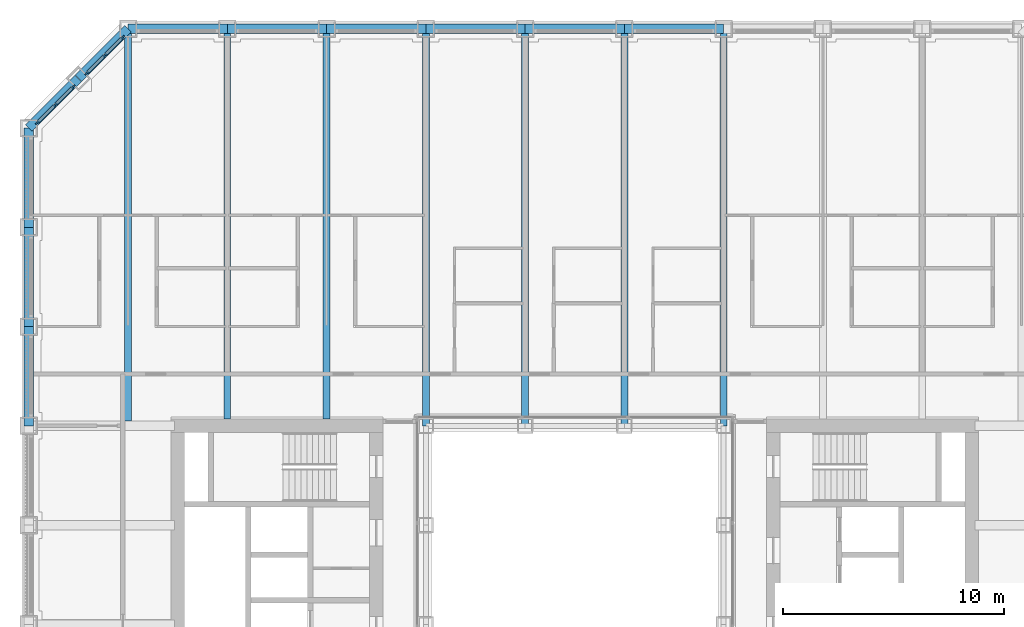
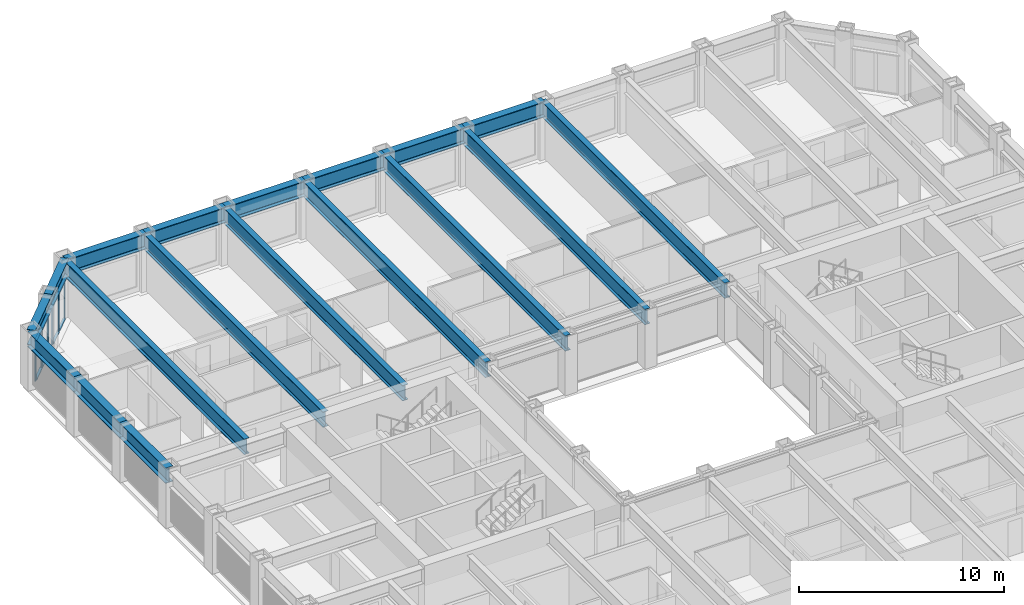
# One storey, part 6 of 21: 18 beams, 14 members, 2 elements without a shape of their own.
"""IFC4 building model written with IfcOpenShell, lengths in metres."""

from ifc_helpers import new_model, si_unit, direction, frame, origin, origin_2d, place, context, subcontext, project, spatial, rectangle, i_section, extrude, material, material_profile, profile_set, type_object, element, aggregate, save


model = new_model("IFC4")

# Units and contexts
model_context = context("Model", 3, precision=1e-05, world=origin(), true_north=direction((0.0, 1.0)))
body_context = subcontext(model_context, "Body", "Model", "MODEL_VIEW")
ifc_project = project(units=[si_unit("LENGTHUNIT", "METRE"), si_unit("AREAUNIT", "SQUARE_METRE"), si_unit("VOLUMEUNIT", "CUBIC_METRE"), si_unit("PLANEANGLEUNIT", "RADIAN"), si_unit("MASSUNIT", "GRAM", prefix="KILO")], contexts=[model_context])

# Site, building, storey
site_placement = place(None, origin())
site = spatial("IfcSite", under=ifc_project, at=site_placement, CompositionType="ELEMENT")
building_placement = place(site_placement, origin())
building = spatial("IfcBuilding", under=site, at=building_placement, Name="Msasa Ring Tower", CompositionType="ELEMENT")
storey_placement = place(building_placement, frame((0.0, 0.0, 40.5)))
storey = spatial("IfcBuildingStorey", under=building, at=storey_placement, Name="L09", CompositionType="ELEMENT", Elevation=40.5)

# Curtain wall, members
ifc_material_1 = material(Name="Aluminium curtain wall with clear glass", Category="aluminium")
curtain_wall_type = type_object("IfcCurtainWallType", Name="CW-C CHAMFER CORNER CURTAIN WALL", PredefinedType="NOTDEFINED", material=ifc_material_1)
curtain_wall_1_placement = place(storey_placement, origin())
curtain_wall_1 = element("IfcCurtainWall", 1, at=curtain_wall_1_placement, inside=storey, type_object=curtain_wall_type, Name="Chamfer corner curtain wall NW L09", PredefinedType="NOTDEFINED")
ifc_material_2 = material(Name="Aluminium mullion", Category="aluminium")
ifc_material_profile_1 = material_profile(ifc_material_2, rectangle(XDim=0.06494140625, YDim=0.179931640625, at=origin_2d()), Name="AL 65x180")
ifc_profile_set_1 = profile_set([ifc_material_profile_1], Name="Aluminium mullion")
member_type_1 = type_object("IfcMemberType", Name="CW-C MULLION 65x180", PredefinedType="MULLION", material=ifc_profile_set_1)
member_1_placement = place(storey_placement, frame((-22.73876953125, 22.119873046875, 0.0), z_axis=(0.0, 0.0, 1.0), x_axis=(0.707106781187, -0.707106781187, 0.0)))
member_1 = element("IfcMember", 2, at=member_1_placement, type_object=member_type_1, Name="CW-C mullion 1", PredefinedType="MULLION", context=body_context, shape_type="SweptSolid", body=[
    extrude(rectangle(XDim=0.06494140625, YDim=0.179931640625, at=origin_2d()), origin(), (0.0, 0.0, 1.0), 2.37890625),
])
member_2_placement = place(storey_placement, frame((-23.55419921875, 21.30419921875, 0.0), z_axis=(0.0, 0.0, 1.0), x_axis=(0.707106781187, -0.707106781187, 0.0)))
member_2 = element("IfcMember", 3, at=member_2_placement, type_object=member_type_1, Name="CW-C mullion 2", PredefinedType="MULLION", context=body_context, shape_type="SweptSolid", body=[
    extrude(rectangle(XDim=0.06494140625, YDim=0.179931640625, at=origin_2d()), origin(), (0.0, 0.0, 1.0), 2.37890625),
])
member_3_placement = place(storey_placement, frame((-24.369873046875, 20.48876953125, 0.0), z_axis=(0.0, 0.0, 1.0), x_axis=(0.707106781187, -0.707106781187, 0.0)))
member_3 = element("IfcMember", 4, at=member_3_placement, type_object=member_type_1, Name="CW-C mullion 3", PredefinedType="MULLION", context=body_context, shape_type="SweptSolid", body=[
    extrude(rectangle(XDim=0.06494140625, YDim=0.179931640625, at=origin_2d()), origin(), (0.0, 0.0, 1.0), 2.37890625),
])

curtain_wall_2_placement = place(storey_placement, origin())
curtain_wall_2 = element("IfcCurtainWall", 5, at=curtain_wall_2_placement, inside=storey, type_object=curtain_wall_type, Name="Chamfer corner curtain wall NW L09", PredefinedType="NOTDEFINED")
member_4_placement = place(storey_placement, frame((-20.48876953125, 24.369873046875, 0.0), z_axis=(0.0, 0.0, 1.0), x_axis=(0.707106781187, -0.707106781187, 0.0)))
member_4 = element("IfcMember", 6, at=member_4_placement, type_object=member_type_1, Name="CW-C mullion 1", PredefinedType="MULLION", context=body_context, shape_type="SweptSolid", body=[
    extrude(rectangle(XDim=0.06494140625, YDim=0.179931640625, at=origin_2d()), origin(), (0.0, 0.0, 1.0), 2.37890625),
])
member_5_placement = place(storey_placement, frame((-21.30419921875, 23.55419921875, 0.0), z_axis=(0.0, 0.0, 1.0), x_axis=(0.707106781187, -0.707106781187, 0.0)))
member_5 = element("IfcMember", 7, at=member_5_placement, type_object=member_type_1, Name="CW-C mullion 2", PredefinedType="MULLION", context=body_context, shape_type="SweptSolid", body=[
    extrude(rectangle(XDim=0.06494140625, YDim=0.179931640625, at=origin_2d()), origin(), (0.0, 0.0, 1.0), 2.37890625),
])
member_6_placement = place(storey_placement, frame((-22.119873046875, 22.73876953125, 0.0), z_axis=(0.0, 0.0, 1.0), x_axis=(0.707106781187, -0.707106781187, 0.0)))
member_6 = element("IfcMember", 8, at=member_6_placement, type_object=member_type_1, Name="CW-C mullion 3", PredefinedType="MULLION", context=body_context, shape_type="SweptSolid", body=[
    extrude(rectangle(XDim=0.06494140625, YDim=0.179931640625, at=origin_2d()), origin(), (0.0, 0.0, 1.0), 2.37890625),
])

# Member
ifc_material_3 = material(Name="Aluminium transom", Category="aluminium")
ifc_material_profile_2 = material_profile(ifc_material_3, rectangle(XDim=0.139892578125, YDim=0.06494140625, at=origin_2d()), Name="AL 65x140")
ifc_profile_set_2 = profile_set([ifc_material_profile_2], Name="Aluminium transom")
member_type_2 = type_object("IfcMemberType", Name="CW-C TRANSOM 65x140", PredefinedType="USERDEFINED", material=ifc_profile_set_2)
member_7_placement = place(storey_placement, frame((-22.76171875, 22.096923828125, 0.032470703125), z_axis=(-0.707106781187, -0.707106781187, 0.0), x_axis=(0.707106781187, -0.707106781187, 0.0)))
member_7 = element("IfcMember", 9, at=member_7_placement, type_object=member_type_2, Name="CW-C transom 1.1", ObjectType="TRANSOM", PredefinedType="USERDEFINED", context=body_context, shape_type="SweptSolid", body=[
    extrude(rectangle(XDim=0.139892578125, YDim=0.06494140625, at=origin_2d()), origin(), (0.0, 0.0, 1.0), 1.08837890625),
])

member_8_placement = place(storey_placement, frame((-22.76171875, 22.096923828125, 2.346435546875), z_axis=(-0.707106781187, -0.707106781187, 0.0), x_axis=(0.707106781187, -0.707106781187, 0.0)))
member_8 = element("IfcMember", 10, at=member_8_placement, type_object=member_type_2, Name="CW-C transom 1.2", ObjectType="TRANSOM", PredefinedType="USERDEFINED", context=body_context, shape_type="SweptSolid", body=[
    extrude(rectangle(XDim=0.139892578125, YDim=0.06494140625, at=origin_2d()), origin(), (0.0, 0.0, 1.0), 1.08837890625),
])

member_9_placement = place(storey_placement, frame((-23.577392578125, 21.28125, 0.032470703125), z_axis=(-0.707106781187, -0.707106781187, 0.0), x_axis=(0.707106781187, -0.707106781187, 0.0)))
member_9 = element("IfcMember", 11, at=member_9_placement, type_object=member_type_2, Name="CW-C transom 2.1", ObjectType="TRANSOM", PredefinedType="USERDEFINED", context=body_context, shape_type="SweptSolid", body=[
    extrude(rectangle(XDim=0.139892578125, YDim=0.06494140625, at=origin_2d()), origin(), (0.0, 0.0, 1.0), 1.08837890625),
])

member_10_placement = place(storey_placement, frame((-23.577392578125, 21.28125, 2.346435546875), z_axis=(-0.707106781187, -0.707106781187, 0.0), x_axis=(0.707106781187, -0.707106781187, 0.0)))
member_10 = element("IfcMember", 12, at=member_10_placement, type_object=member_type_2, Name="CW-C transom 2.2", ObjectType="TRANSOM", PredefinedType="USERDEFINED", context=body_context, shape_type="SweptSolid", body=[
    extrude(rectangle(XDim=0.139892578125, YDim=0.06494140625, at=origin_2d()), origin(), (0.0, 0.0, 1.0), 1.08837890625),
])

aggregate(curtain_wall_1, [member_1, member_2, member_3, member_7, member_8, member_9, member_10])

member_11_placement = place(storey_placement, frame((-20.51171875, 24.346923828125, 0.032470703125), z_axis=(-0.707106781187, -0.707106781187, 0.0), x_axis=(0.707106781187, -0.707106781187, 0.0)))
member_11 = element("IfcMember", 13, at=member_11_placement, type_object=member_type_2, Name="CW-C transom 1.1", ObjectType="TRANSOM", PredefinedType="USERDEFINED", context=body_context, shape_type="SweptSolid", body=[
    extrude(rectangle(XDim=0.139892578125, YDim=0.06494140625, at=origin_2d()), origin(), (0.0, 0.0, 1.0), 1.08837890625),
])

member_12_placement = place(storey_placement, frame((-20.51171875, 24.346923828125, 2.346435546875), z_axis=(-0.707106781187, -0.707106781187, 0.0), x_axis=(0.707106781187, -0.707106781187, 0.0)))
member_12 = element("IfcMember", 14, at=member_12_placement, type_object=member_type_2, Name="CW-C transom 1.2", ObjectType="TRANSOM", PredefinedType="USERDEFINED", context=body_context, shape_type="SweptSolid", body=[
    extrude(rectangle(XDim=0.139892578125, YDim=0.06494140625, at=origin_2d()), origin(), (0.0, 0.0, 1.0), 1.08837890625),
])

member_13_placement = place(storey_placement, frame((-21.327392578125, 23.53125, 0.032470703125), z_axis=(-0.707106781187, -0.707106781187, 0.0), x_axis=(0.707106781187, -0.707106781187, 0.0)))
member_13 = element("IfcMember", 15, at=member_13_placement, type_object=member_type_2, Name="CW-C transom 2.1", ObjectType="TRANSOM", PredefinedType="USERDEFINED", context=body_context, shape_type="SweptSolid", body=[
    extrude(rectangle(XDim=0.139892578125, YDim=0.06494140625, at=origin_2d()), origin(), (0.0, 0.0, 1.0), 1.08837890625),
])

member_14_placement = place(storey_placement, frame((-21.327392578125, 23.53125, 2.346435546875), z_axis=(-0.707106781187, -0.707106781187, 0.0), x_axis=(0.707106781187, -0.707106781187, 0.0)))
member_14 = element("IfcMember", 16, at=member_14_placement, type_object=member_type_2, Name="CW-C transom 2.2", ObjectType="TRANSOM", PredefinedType="USERDEFINED", context=body_context, shape_type="SweptSolid", body=[
    extrude(rectangle(XDim=0.139892578125, YDim=0.06494140625, at=origin_2d()), origin(), (0.0, 0.0, 1.0), 1.08837890625),
])

aggregate(curtain_wall_2, [member_4, member_5, member_6, member_11, member_12, member_13, member_14])

# Beams
ifc_material_4 = material(Name="Steel S355", Category="steel")
ifc_material_profile_3 = material_profile(ifc_material_4, i_section(OverallWidth=0.3076171875, OverallDepth=0.926513671875, WebThickness=0.01953125, FlangeThickness=0.031982421875, FilletRadius=0.01904296875, at=origin_2d()), Name="UB 914x305x289")
ifc_profile_set_3 = profile_set([ifc_material_profile_3], Name="Steel S355")
beam_type_1 = type_object("IfcBeamType", Name="FB3 UB 914x305x289", PredefinedType="BEAM", material=ifc_profile_set_3)
beam_placement = place(storey_placement, frame((-20.25, 24.75, 2.836669921875), z_axis=(0.0, -1.0, 0.0), x_axis=(1.0, 0.0, 0.0)))
element("IfcBeam", 17, at=beam_placement, inside=storey, type_object=beam_type_1, Name="Floor beam N-20.25 under L10", PredefinedType="BEAM", context=body_context, shape_type="SweptSolid", body=[
    extrude(i_section(OverallWidth=0.3076171875, OverallDepth=0.926513671875, WebThickness=0.01953125, FlangeThickness=0.031982421875, FilletRadius=0.01904296875, at=origin_2d()), origin(), (0.0, 0.0, 1.0), 17.789794921875),
])
for number, where, z_axis, x_axis, name in (
    (18, (-15.75, 24.75, 2.836669921875), (0.0, -1.0, 0.0), (1.0, 0.0, 0.0), "Floor beam N-15.75 under L10"),
    (19, (-11.25, 24.75, 2.836669921875), (0.0, -1.0, 0.0), (1.0, 0.0, 0.0), "Floor beam N-11.25 under L10"),
):
    element("IfcBeam", number, at=place(storey_placement, frame(where, z_axis=z_axis, x_axis=x_axis)), inside=storey, type_object=beam_type_1, Name=name, PredefinedType="BEAM", context=body_context, shape_type="SweptSolid", body=[
        extrude(i_section(OverallWidth=0.3076171875, OverallDepth=0.926513671875, WebThickness=0.01953125, FlangeThickness=0.031982421875, FilletRadius=0.01904296875, at=origin_2d()), origin(), (0.0, 0.0, 1.0), 17.699951171875),
    ])
for number, where, z_axis, x_axis, name in (
    (20, (-6.75, 24.75, 2.836669921875), (0.0, -1.0, 0.0), (1.0, 0.0, 0.0), "Floor beam N-6.75 under L10"),
    (21, (-2.25, 24.75, 2.836669921875), (0.0, -1.0, 0.0), (1.0, 0.0, 0.0), "Floor beam N-2.25 under L10"),
    (22, (2.25, 24.75, 2.836669921875), (0.0, -1.0, 0.0), (1.0, 0.0, 0.0), "Floor beam N+2.25 under L10"),
    (23, (6.75, 24.75, 2.836669921875), (0.0, -1.0, 0.0), (1.0, 0.0, 0.0), "Floor beam N+6.75 under L10"),
):
    element("IfcBeam", number, at=place(storey_placement, frame(where, z_axis=z_axis, x_axis=x_axis)), inside=storey, type_object=beam_type_1, Name=name, PredefinedType="BEAM", context=body_context, shape_type="SweptSolid", body=[
        extrude(i_section(OverallWidth=0.3076171875, OverallDepth=0.926513671875, WebThickness=0.01953125, FlangeThickness=0.031982421875, FilletRadius=0.01904296875, at=origin_2d()), origin(), (0.0, 0.0, 1.0), 18.0),
    ])
ifc_material_5 = material(Name="Steel S355", Category="steel")
ifc_material_profile_4 = material_profile(ifc_material_5, i_section(OverallWidth=0.42041015625, OverallDepth=0.9208984375, WebThickness=0.021484375, FlangeThickness=0.03662109375, FilletRadius=0.024169921875, at=origin_2d()), Name="UB 914x419x388")
ifc_profile_set_4 = profile_set([ifc_material_profile_4], Name="Steel S355")
beam_type_2 = type_object("IfcBeamType", Name="SB1 UB 914x419x388", PredefinedType="SPANDREL", material=ifc_profile_set_4)
for number, where, z_axis, x_axis, name in (
    (24, (6.75, 24.75, 2.839599609375), (-1.0, 0.0, 0.0), (0.0, -1.0, 0.0), "Spandrel N+6.75 to N+2.25 under L10"),
    (25, (2.25, 24.75, 2.839599609375), (-1.0, 0.0, 0.0), (0.0, -1.0, 0.0), "Spandrel N+2.25 to N-2.25 under L10"),
    (26, (-2.25, 24.75, 2.839599609375), (-1.0, 0.0, 0.0), (0.0, -1.0, 0.0), "Spandrel N-2.25 to N-6.75 under L10"),
    (27, (-6.75, 24.75, 2.839599609375), (-1.0, 0.0, 0.0), (0.0, -1.0, 0.0), "Spandrel N-6.75 to N-11.25 under L10"),
    (28, (-11.25, 24.75, 2.839599609375), (-1.0, 0.0, 0.0), (0.0, -1.0, 0.0), "Spandrel N-11.25 to N-15.75 under L10"),
    (29, (-15.75, 24.75, 2.839599609375), (-1.0, 0.0, 0.0), (0.0, -1.0, 0.0), "Spandrel N-15.75 to N-20.25 under L10"),
):
    element("IfcBeam", number, at=place(storey_placement, frame(where, z_axis=z_axis, x_axis=x_axis)), inside=storey, type_object=beam_type_2, Name=name, PredefinedType="SPANDREL", context=body_context, shape_type="SweptSolid", body=[
        extrude(i_section(OverallWidth=0.42041015625, OverallDepth=0.9208984375, WebThickness=0.021484375, FlangeThickness=0.03662109375, FilletRadius=0.024169921875, at=origin_2d()), origin(), (0.0, 0.0, 1.0), 4.5),
    ])
for number, where, z_axis, x_axis, name in (
    (30, (-20.25, 24.75, 2.839599609375), (-0.707106781187, -0.707106781187, 0.0), (0.707106781187, -0.707106781187, 0.0), "Spandrel N-20.25 to NW under L10"),
    (31, (-22.5, 22.5, 2.839599609375), (-0.707106781187, -0.707106781187, 0.0), (0.707106781187, -0.707106781187, 0.0), "Spandrel NW to W+20.25 under L10"),
):
    element("IfcBeam", number, at=place(storey_placement, frame(where, z_axis=z_axis, x_axis=x_axis)), inside=storey, type_object=beam_type_2, Name=name, PredefinedType="SPANDREL", context=body_context, shape_type="SweptSolid", body=[
        extrude(i_section(OverallWidth=0.42041015625, OverallDepth=0.9208984375, WebThickness=0.021484375, FlangeThickness=0.03662109375, FilletRadius=0.024169921875, at=origin_2d()), origin(), (0.0, 0.0, 1.0), 3.181884765625),
    ])
for number, where, z_axis, x_axis, name in (
    (32, (-24.75, 20.25, 2.839599609375), (0.0, -1.0, 0.0), (1.0, 0.0, 0.0), "Spandrel W+20.25 to W+15.75 under L10"),
    (33, (-24.75, 15.75, 2.839599609375), (0.0, -1.0, 0.0), (1.0, 0.0, 0.0), "Spandrel W+15.75 to W+11.25 under L10"),
    (34, (-24.75, 11.25, 2.839599609375), (0.0, -1.0, 0.0), (1.0, 0.0, 0.0), "Spandrel W+11.25 to W+6.75 under L10"),
):
    element("IfcBeam", number, at=place(storey_placement, frame(where, z_axis=z_axis, x_axis=x_axis)), inside=storey, type_object=beam_type_2, Name=name, PredefinedType="SPANDREL", context=body_context, shape_type="SweptSolid", body=[
        extrude(i_section(OverallWidth=0.42041015625, OverallDepth=0.9208984375, WebThickness=0.021484375, FlangeThickness=0.03662109375, FilletRadius=0.024169921875, at=origin_2d()), origin(), (0.0, 0.0, 1.0), 4.5),
    ])

save(model, "model.ifc")
